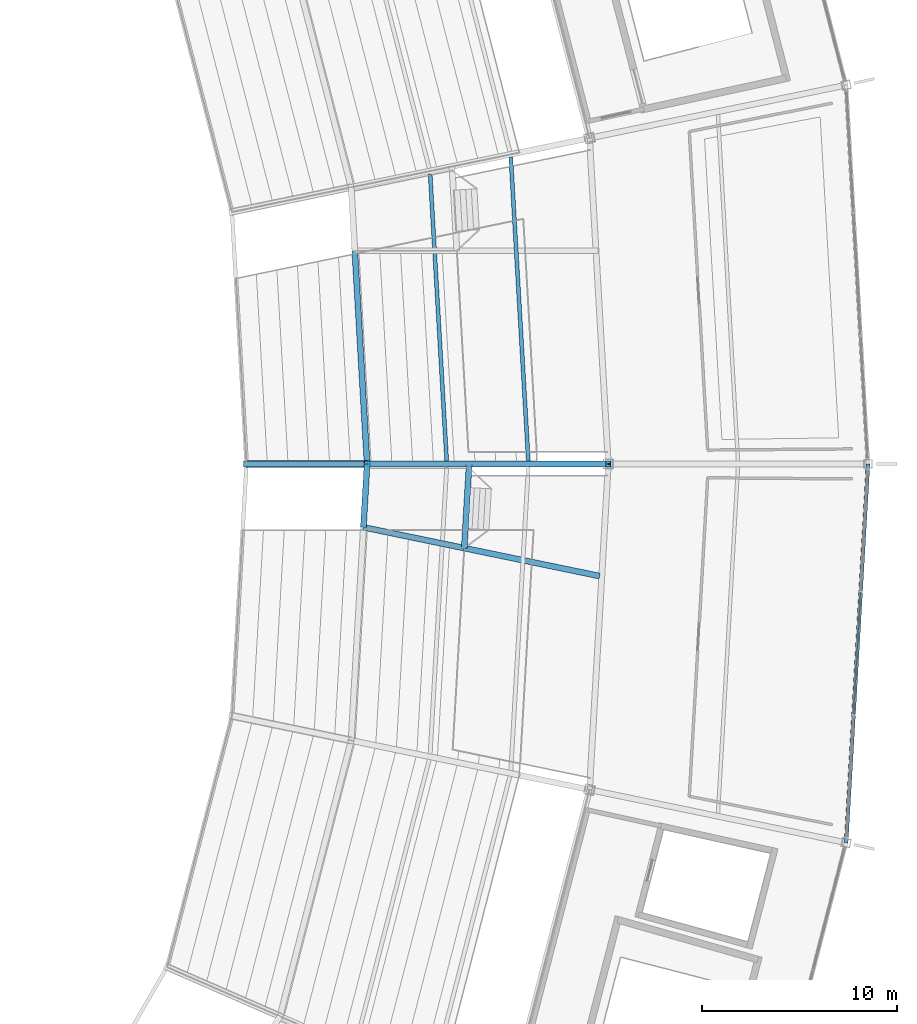
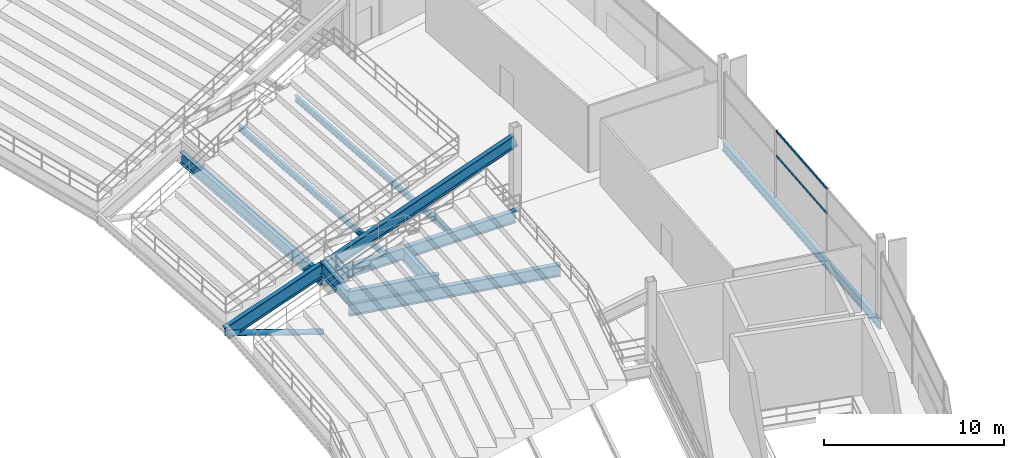
# One storey, part 72 of 186: 11 beams, 3 members, 1 element without a shape of its own.
"""IFC4 building model written with IfcOpenShell, lengths in metres."""

from ifc_helpers import new_model, si_unit, direction, frame, origin, origin_2d, place, context, subcontext, project, spatial, hollow_rectangle, hollow_circle, i_section, extrude, material, layer, layer_set, material_profile, profile_set, type_object, element, aggregate, save


model = new_model("IFC4")

# Units and contexts
model_context = context("Model", 3, precision=1e-05, world=origin(), true_north=direction((0.0, 1.0)))
body_context = subcontext(model_context, "Body", "Model", "MODEL_VIEW")
ifc_project = project(units=[si_unit("LENGTHUNIT", "METRE"), si_unit("AREAUNIT", "SQUARE_METRE"), si_unit("VOLUMEUNIT", "CUBIC_METRE"), si_unit("PLANEANGLEUNIT", "RADIAN"), si_unit("MASSUNIT", "GRAM", prefix="KILO")], contexts=[model_context])

# Site, building, storey
site_placement = place(None, origin())
site = spatial("IfcSite", under=ifc_project, at=site_placement, CompositionType="ELEMENT")
building_placement = place(site_placement, origin())
building = spatial("IfcBuilding", under=site, at=building_placement, Name="Kazemori Nagisa Stadium", CompositionType="ELEMENT")
storey_placement = place(building_placement, frame((0.0, 0.0, 20.39990234375)))
storey = spatial("IfcBuildingStorey", under=building, at=storey_placement, Name="L04", CompositionType="ELEMENT", Elevation=20.39990234375)

# Beams
ifc_material_1 = material(Name="Steel SN490B", Category="steel")
ifc_material_profile_1 = material_profile(ifc_material_1, i_section(OverallWidth=0.300048828125, OverallDepth=0.800048828125, WebThickness=0.013916015625, FlangeThickness=0.02587890625, FilletRadius=0.01806640625, at=origin_2d()), Name="H-800x300x14x26")
ifc_profile_set_1 = profile_set([ifc_material_profile_1], Name="Steel SN490B")
beam_type_1 = type_object("IfcBeamType", Name="Beam_BG-H800", PredefinedType="BEAM", material=ifc_profile_set_1)
beam_1_placement = place(storey_placement, frame((192.35009765625, 102.0, -0.699951171875), z_axis=(-0.057610061423, 0.998339161219, 0.0), x_axis=(-0.998339161219, -0.057610061423, 0.0)))
element("IfcBeam", 1, at=beam_1_placement, inside=storey, type_object=beam_type_1, Name="Ring girder BG-H800 L04 R1-01", PredefinedType="BEAM", context=body_context, shape_type="SweptSolid", body=[
    extrude(i_section(OverallWidth=0.300048828125, OverallDepth=0.800048828125, WebThickness=0.013916015625, FlangeThickness=0.02587890625, FilletRadius=0.01806640625, at=origin_2d()), origin(), (0.0, 0.0, 1.0), 14.183837890625),
])
for number, where, z_axis, x_axis, name in (
    (2, (192.35009765625, 102.0, -0.699951171875), (1.0, 0.0, 0.0), (0.0, 1.0, 0.0), "Radial girder BG-H800 L04 R1-R2-01"),
    (3, (192.162841796875, 98.75537109375, -0.699951171875), (0.979313132452, -0.202350657538, 0.0), (0.202350657538, 0.979313132452, 0.0), "Upper vomitory radial carrier girder B28"),
):
    element("IfcBeam", number, at=place(storey_placement, frame(where, z_axis=z_axis, x_axis=x_axis)), inside=storey, type_object=beam_type_1, Name=name, PredefinedType="BEAM", context=body_context, shape_type="SweptSolid", body=[
        extrude(i_section(OverallWidth=0.300048828125, OverallDepth=0.800048828125, WebThickness=0.013916015625, FlangeThickness=0.02587890625, FilletRadius=0.01806640625, at=origin_2d()), origin(), (0.0, 0.0, 1.0), 12.349853515625),
    ])
ifc_material_profile_2 = material_profile(ifc_material_1, i_section(OverallWidth=0.300048828125, OverallDepth=0.89990234375, WebThickness=0.01806640625, FlangeThickness=0.031982421875, FilletRadius=0.01806640625, at=origin_2d()), Name="H-900x300x18x32")
ifc_profile_set_2 = profile_set([ifc_material_profile_2], Name="Steel SN490B")
beam_type_2 = type_object("IfcBeamType", Name="Beam_BG-TR900", PredefinedType="BEAM", material=ifc_profile_set_2)
beam_2_placement = place(storey_placement, frame((192.162841796875, 98.75537109375, 0.150146484375), z_axis=(0.979312342256, -0.202354481803, 0.0), x_axis=(0.202354481803, 0.979312342256, 0.0)))
element("IfcBeam", 4, at=beam_2_placement, inside=storey, type_object=beam_type_2, Name="Upper vomitory left transfer girder B28", PredefinedType="BEAM", context=body_context, shape_type="SweptSolid", body=[
    extrude(i_section(OverallWidth=0.300048828125, OverallDepth=0.89990234375, WebThickness=0.01806640625, FlangeThickness=0.031982421875, FilletRadius=0.01806640625, at=origin_2d()), origin(), (0.0, 0.0, 1.0), 5.2724609375),
])
beam_3_placement = place(storey_placement, frame((197.326171875, 97.6884765625, -0.75), z_axis=(0.057605203337, 0.998339441547, 0.0), x_axis=(-0.998339441547, 0.057605203337, 0.0)))
element("IfcBeam", 5, at=beam_3_placement, inside=storey, type_object=beam_type_2, Name="Upper vomitory portal header girder B28", PredefinedType="BEAM", context=body_context, shape_type="SweptSolid", body=[
    extrude(i_section(OverallWidth=0.300048828125, OverallDepth=0.89990234375, WebThickness=0.01806640625, FlangeThickness=0.031982421875, FilletRadius=0.01806640625, at=origin_2d()), origin(), (0.0, 0.0, 1.0), 4.318603515625),
])
beam_4_placement = place(storey_placement, frame((192.162841796875, 98.75537109375, 0.150146484375), z_axis=(0.057616692486, 0.998338778545, 0.0), x_axis=(-0.998338778545, 0.057616692486, 0.0)))
element("IfcBeam", 6, at=beam_4_placement, inside=storey, type_object=beam_type_2, Name="Upper vomitory inner sill girder B28", PredefinedType="BEAM", context=body_context, shape_type="SweptSolid", body=[
    extrude(i_section(OverallWidth=0.300048828125, OverallDepth=0.89990234375, WebThickness=0.01806640625, FlangeThickness=0.031982421875, FilletRadius=0.01806640625, at=origin_2d()), origin(), (0.0, 0.0, 1.0), 3.25),
])
ifc_material_profile_3 = material_profile(ifc_material_1, i_section(OverallWidth=0.199951171875, OverallDepth=0.39990234375, WebThickness=0.008056640625, FlangeThickness=0.012939453125, FilletRadius=0.012939453125, at=origin_2d()), Name="H-400x200x8x13")
ifc_profile_set_3 = profile_set([ifc_material_profile_3], Name="Steel SN490B")
beam_type_3 = type_object("IfcBeamType", Name="Beam_BJ-H400", PredefinedType="JOIST", material=ifc_profile_set_3)
beam_5_placement = place(storey_placement, frame((196.4267578125, 102.144775390625, -0.5), z_axis=(-0.057615279138, 0.998338860112, 0.0), x_axis=(-0.998338860112, -0.057615279138, 0.0)))
element("IfcBeam", 7, at=beam_5_placement, inside=storey, type_object=beam_type_3, Name="Concourse joist BJ-H400 L04 B01-1", PredefinedType="JOIST", context=body_context, shape_type="SweptSolid", body=[
    extrude(i_section(OverallWidth=0.199951171875, OverallDepth=0.39990234375, WebThickness=0.008056640625, FlangeThickness=0.012939453125, FilletRadius=0.012939453125, at=origin_2d()), origin(), (0.0, 0.0, 1.0), 14.729248046875),
])
beam_6_placement = place(storey_placement, frame((200.606689453125, 102.144775390625, -0.5), z_axis=(-0.057603441248, 0.99833954322, 0.0), x_axis=(-0.99833954322, -0.057603441248, 0.0)))
element("IfcBeam", 8, at=beam_6_placement, inside=storey, type_object=beam_type_3, Name="Concourse joist BJ-H400 L04 B01-2", PredefinedType="JOIST", context=body_context, shape_type="SweptSolid", body=[
    extrude(i_section(OverallWidth=0.199951171875, OverallDepth=0.39990234375, WebThickness=0.008056640625, FlangeThickness=0.012939453125, FilletRadius=0.012939453125, at=origin_2d()), origin(), (0.0, 0.0, 1.0), 15.584228515625),
])
ifc_material_profile_4 = material_profile(ifc_material_1, i_section(OverallWidth=0.199951171875, OverallDepth=0.60009765625, WebThickness=0.010986328125, FlangeThickness=0.01708984375, FilletRadius=0.012939453125, at=origin_2d()), Name="H-600x200x11x17")
ifc_profile_set_4 = profile_set([ifc_material_profile_4], Name="Steel SN490B")
beam_type_4 = type_object("IfcBeamType", Name="Beam_BS-H600", PredefinedType="SPANDREL", material=ifc_profile_set_4)
beam_7_placement = place(storey_placement, frame((216.880859375, 82.602294921875, -0.599853515625), z_axis=(0.057598702622, 0.998339816624, 0.0), x_axis=(-0.998339816624, 0.057598702622, 0.0)))
element("IfcBeam", 9, at=beam_7_placement, inside=storey, type_object=beam_type_4, Name="Ring girder BS-H600 L04 R3-28", PredefinedType="SPANDREL", context=body_context, shape_type="SweptSolid", body=[
    extrude(i_section(OverallWidth=0.199951171875, OverallDepth=0.60009765625, WebThickness=0.010986328125, FlangeThickness=0.01708984375, FilletRadius=0.012939453125, at=origin_2d()), origin(), (0.0, 0.0, 1.0), 19.429931640625),
])
ifc_material_profile_5 = material_profile(ifc_material_1, i_section(OverallWidth=0.300048828125, OverallDepth=0.800048828125, WebThickness=0.013916015625, FlangeThickness=0.02587890625, FilletRadius=0.01806640625, at=origin_2d()), Name="H-800x300x14x26")
ifc_profile_set_5 = profile_set([ifc_material_profile_5], Name="Steel SN490B")
beam_type_5 = type_object("IfcBeamType", Name="Beam_RK-ST800", PredefinedType="USERDEFINED", material=ifc_profile_set_5)
beam_8_placement = place(storey_placement, frame((192.35009765625, 102.0, 0.02001953125), z_axis=(0.941269901804, 0.0, 0.337655107999), x_axis=(0.0, 1.0, 0.0)))
element("IfcBeam", 10, at=beam_8_placement, inside=storey, type_object=beam_type_5, Name="Raker beam upper backspan RK3-01B", ObjectType="RAKER BEAM", PredefinedType="USERDEFINED", context=body_context, shape_type="SweptSolid", body=[
    extrude(i_section(OverallWidth=0.300048828125, OverallDepth=0.800048828125, WebThickness=0.013916015625, FlangeThickness=0.02587890625, FilletRadius=0.01806640625, at=origin_2d()), origin(), (0.0, 0.0, 1.0), 13.120361328125),
])
ifc_material_profile_6 = material_profile(ifc_material_1, i_section(OverallWidth=0.300048828125, OverallDepth=0.89990234375, WebThickness=0.01611328125, FlangeThickness=0.028076171875, FilletRadius=0.01806640625, at=origin_2d()), Name="H-900x300x16x28")
ifc_profile_set_6 = profile_set([ifc_material_profile_6], Name="Steel SN490B")
beam_type_6 = type_object("IfcBeamType", Name="Beam_RK-ST900", PredefinedType="USERDEFINED", material=ifc_profile_set_6)
beam_9_placement = place(storey_placement, frame((186.175048828125, 102.0, -2.14990234375), z_axis=(0.94344532031, 0.0, 0.331528170123), x_axis=(0.0, 1.0, 0.0)))
element("IfcBeam", 11, at=beam_9_placement, inside=storey, type_object=beam_type_6, Name="Raker beam upper cantilever RK3-01A", ObjectType="RAKER BEAM", PredefinedType="USERDEFINED", context=body_context, shape_type="SweptSolid", body=[
    extrude(i_section(OverallWidth=0.300048828125, OverallDepth=0.89990234375, WebThickness=0.01611328125, FlangeThickness=0.028076171875, FilletRadius=0.01806640625, at=origin_2d()), origin(), (0.0, 0.0, 1.0), 6.545166015625),
])

# Member
ifc_material_2 = material(Name="Steel STK490", Category="steel")
ifc_material_profile_7 = material_profile(ifc_material_2, hollow_circle(Radius=0.177734375, WallThickness=0.0126953125, at=origin_2d()), Name="CHS-355.6x12.7")
ifc_profile_set_7 = profile_set([ifc_material_profile_7], Name="Steel STK490")
member_type_1 = type_object("IfcMemberType", Name="Member_TB-CHS355", PredefinedType="BRACE", material=ifc_profile_set_7)
member_1_placement = place(storey_placement, frame((192.35009765625, 102.0, -4.25), z_axis=(-0.946745590797, 0.0, 0.321982586962), x_axis=(0.0, -1.0, 0.0)))
element("IfcMember", 12, at=member_1_placement, inside=storey, type_object=member_type_1, Name="Upper tier cantilever truss strut UT-01", PredefinedType="BRACE", context=body_context, shape_type="SweptSolid", body=[
    extrude(hollow_circle(Radius=0.177734375, WallThickness=0.0126953125, at=origin_2d()), origin(), (0.0, 0.0, 1.0), 6.5224609375),
])

# Curtain wall, members
ifc_material_3 = material(Name="Anodised aluminium 6063-T5", Category="aluminium")
ifc_layer = layer(ifc_material_3, 0.179931640625, Name="Anodised aluminium 6063-T5", Category="aluminium")
ifc_layer_set = layer_set([ifc_layer], Name="Anodised aluminium 6063-T5")
curtain_wall_type = type_object("IfcCurtainWallType", Name="CW_L04R3_95", PredefinedType="USERDEFINED", material=ifc_layer_set)
curtain_wall_placement = place(storey_placement, origin())
curtain_wall = element("IfcCurtainWall", 13, at=curtain_wall_placement, inside=storey, type_object=curtain_wall_type, Name="Unitised curtain wall CW-L04R3-95 L04", ObjectType="UNITISED CURTAIN WALL", PredefinedType="USERDEFINED")
ifc_material_4 = material(Name="Aluminium 6063-T5 anodised", Category="aluminium")
ifc_material_profile_8 = material_profile(ifc_material_4, hollow_rectangle(XDim=0.070068359375, YDim=0.139892578125, WallThickness=0.00390625, at=origin_2d()), Name="ALU-TRAN-70x140x4")
ifc_profile_set_8 = profile_set([ifc_material_profile_8], Name="Aluminium 6063-T5 anodised")
member_type_2 = type_object("IfcMemberType", Name="Transom_T01", PredefinedType="USERDEFINED", material=ifc_profile_set_8)
member_2_placement = place(storey_placement, frame((217.260009765625, 89.173095703125, 2.80859375), z_axis=(0.057582347061, 0.998340760115, 0.0), x_axis=(-0.998340760115, 0.057582347061, 0.0)))
member_2 = element("IfcMember", 14, at=member_2_placement, type_object=member_type_2, Name="Curtain wall transom CW-L04R3-95-T2-mid", ObjectType="TRANSOM", PredefinedType="USERDEFINED", context=body_context, shape_type="SweptSolid", body=[
    extrude(hollow_rectangle(XDim=0.070068359375, YDim=0.139892578125, WallThickness=0.00390625, at=origin_2d()), origin(), (0.0, 0.0, 1.0), 6.2666015625),
])
member_3_placement = place(storey_placement, frame((217.260009765625, 89.173095703125, 4.460205078125), z_axis=(0.057582347061, 0.998340760115, 0.0), x_axis=(-0.998340760115, 0.057582347061, 0.0)))
member_3 = element("IfcMember", 15, at=member_3_placement, type_object=member_type_2, Name="Curtain wall transom CW-L04R3-95-T2-head", ObjectType="TRANSOM", PredefinedType="USERDEFINED", context=body_context, shape_type="SweptSolid", body=[
    extrude(hollow_rectangle(XDim=0.070068359375, YDim=0.139892578125, WallThickness=0.00390625, at=origin_2d()), origin(), (0.0, 0.0, 1.0), 6.2666015625),
])
aggregate(curtain_wall, [member_2, member_3])

save(model, "model.ifc")
